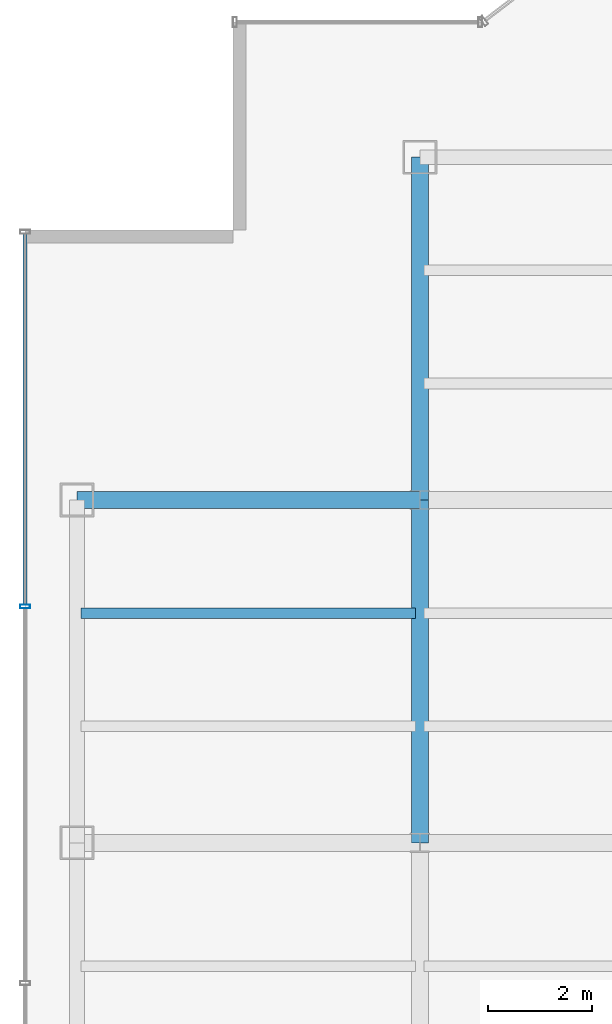
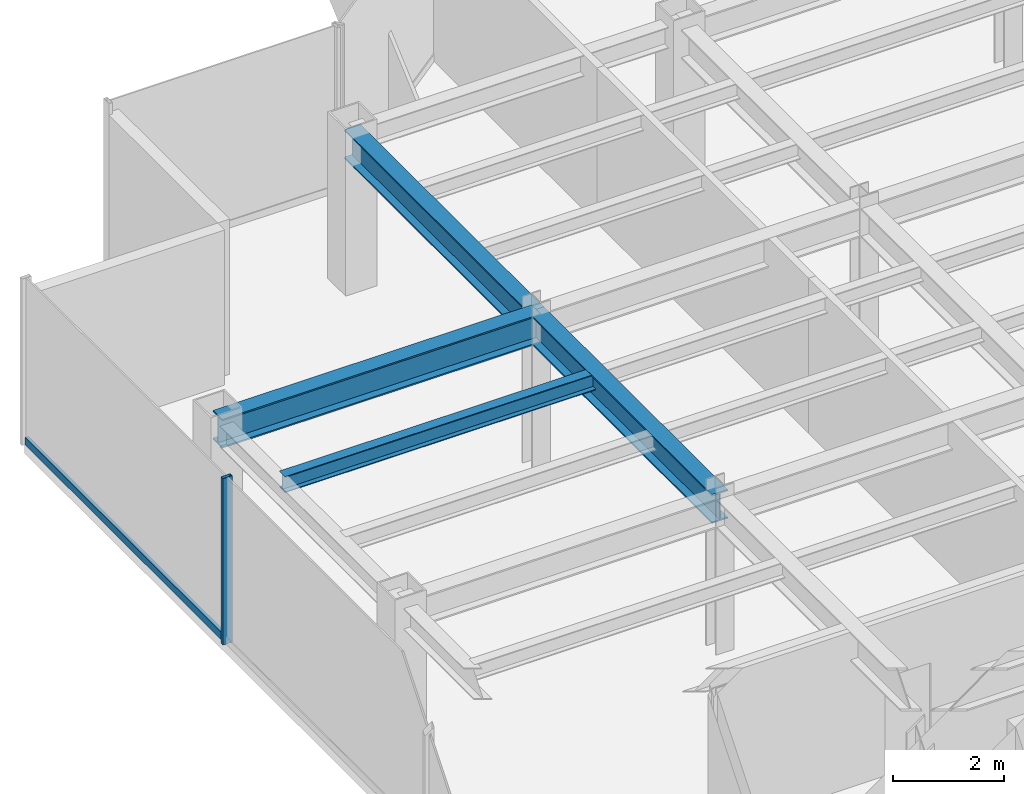
# One storey, part 7 of 25: 4 beams, 2 members, 1 element without a shape of its own.
"""IFC4 building model written with IfcOpenShell, lengths in metres."""

import ifcopenshell
import ifcopenshell.guid

model = None  # the IFC model being written
_history = None  # IfcOwnerHistory: only IFC2X3 demands one
_inside = {}  # id of a spatial element -> (the spatial element, [elements in it])
_under = {}  # id of a project, library or spatial element -> (it, [spatial elements below it])
_declared = {}  # id of a project -> (the project, [libraries it declares])
_typed = {}  # id of a type object -> (the type object, [elements of that type])
_made_of = {}  # id of a material, layer set ... -> (it, [elements and type objects made of it])


def new_model(schema):
    """Start an empty IFC model of exactly this schema.

    Asked for "IFC4X3", IfcOpenShell would pick the latest addendum, in which some entities
    have other attributes; the version numbers below select the first issue.
    IFC2X3 requires an IfcOwnerHistory on every rooted entity: one is made here for all.
    """
    global model, _history
    if schema == "IFC4X3":
        model = ifcopenshell.file(schema_version=(4, 3, 0, 0))
    else:
        model = ifcopenshell.file(schema=schema)
    _inside.clear()
    _under.clear()
    _declared.clear()
    _typed.clear()
    _made_of.clear()
    _history = None
    if model.schema == "IFC2X3":
        org = make("IfcOrganization", Name="unknown")
        user = make(
            "IfcPersonAndOrganization",
            ThePerson=make("IfcPerson", FamilyName="unknown"),
            TheOrganization=org,
        )
        app = make(
            "IfcApplication",
            ApplicationDeveloper=org,
            Version="unknown",
            ApplicationFullName="unknown",
            ApplicationIdentifier="unknown",
        )
        _history = make(
            "IfcOwnerHistory",
            OwningUser=user,
            OwningApplication=app,
            ChangeAction="ADDED",
            CreationDate=0,
        )
    return model


def make(cls, **values):
    """One entity of the class cls with the attributes given. An attribute that is None is left unset."""
    return model.create_entity(
        cls, **{name: value for name, value in values.items() if value is not None}
    )


def rooted(cls, **values):
    """An entity with a GlobalId (a new one), such as an element, a storey or a relation."""
    return make(cls, GlobalId=ifcopenshell.guid.new(), OwnerHistory=_history, **values)


def si_unit(unit_type, name, prefix=None):
    """IfcSIUnit, for example si_unit("LENGTHUNIT", "METRE", prefix="MILLI")."""
    return make("IfcSIUnit", UnitType=unit_type, Prefix=prefix, Name=name)


def derived_unit(unit_type, elements):
    """IfcDerivedUnit: a product of units, each with its exponent."""
    return make(
        "IfcDerivedUnit",
        Elements=[
            make("IfcDerivedUnitElement", Unit=unit, Exponent=power)
            for unit, power in elements
        ],
        UnitType=unit_type,
    )


def assignment(units):
    """IfcUnitAssignment: the units of a project."""
    return None if units is None else make("IfcUnitAssignment", Units=units)


def point(xyz):
    """IfcCartesianPoint."""
    return None if xyz is None else make("IfcCartesianPoint", Coordinates=xyz)


def direction(xyz):
    """IfcDirection."""
    return None if xyz is None else make("IfcDirection", DirectionRatios=xyz)


def frame(location, z_axis=None, x_axis=None):
    """IfcAxis2Placement3D, a coordinate frame: its origin and axes. An axis left out is left unset."""
    return make(
        "IfcAxis2Placement3D",
        Location=point(location),
        Axis=direction(z_axis),
        RefDirection=direction(x_axis),
    )


def frame_2d(location, x_axis=None):
    """IfcAxis2Placement2D, a coordinate frame in the plane: its origin and x axis."""
    return make(
        "IfcAxis2Placement2D", Location=point(location), RefDirection=direction(x_axis)
    )


def origin():
    """The frame at (0, 0, 0) with its axes left unset."""
    return frame((0.0, 0.0, 0.0))


def origin_2d():
    """The frame at (0, 0) in the plane with its x axis left unset."""
    return frame_2d((0.0, 0.0))


def place(relative_to, where):
    """IfcLocalPlacement: puts the frame where relative to a parent placement (None: the world)."""
    return make(
        "IfcLocalPlacement", PlacementRelTo=relative_to, RelativePlacement=where
    )


def context(
    kind, dimensions, precision=None, world=None, true_north=None, identifier=None
):
    """IfcGeometricRepresentationContext, for example the 3D "Model" context."""
    return make(
        "IfcGeometricRepresentationContext",
        ContextIdentifier=identifier,
        ContextType=kind,
        CoordinateSpaceDimension=dimensions,
        Precision=precision,
        WorldCoordinateSystem=world,
        TrueNorth=true_north,
    )


def subcontext(parent, identifier, kind, view, scale=None):
    """IfcGeometricRepresentationSubContext, for example "Body" below "Model"."""
    return make(
        "IfcGeometricRepresentationSubContext",
        ContextIdentifier=identifier,
        ContextType=kind,
        ParentContext=parent,
        TargetScale=scale,
        TargetView=view,
    )


def project(units=None, contexts=None):
    """IfcProject with its units and contexts."""
    return rooted(
        "IfcProject",
        Name="project",
        RepresentationContexts=contexts,
        UnitsInContext=assignment(units),
    )


def spatial(cls, under=None, at=None, **own):
    """A site, building, storey or space (cls), placed at a placement, below another one or the project."""
    s = rooted(cls, ObjectPlacement=at, **own)
    if under is not None:
        _under.setdefault(under.id(), (under, []))[1].append(s)
    return s


def profile(cls, at=None, kind="AREA", **sizes):
    """A parametric profile (cls). Its sizes go by their IFC names, for example OverallWidth=200.0."""
    return make(cls, ProfileType=kind, Position=at, **sizes)


def hollow_rectangle(**sizes):
    """IfcRectangleHollowProfileDef."""
    return profile("IfcRectangleHollowProfileDef", **sizes)


def i_section(**sizes):
    """IfcIShapeProfileDef."""
    return profile("IfcIShapeProfileDef", **sizes)


def extrude(swept, where, along, depth):
    """IfcExtrudedAreaSolid: the profile swept, set in the frame where, extruded along a direction by depth."""
    return make(
        "IfcExtrudedAreaSolid",
        SweptArea=swept,
        Position=where,
        ExtrudedDirection=direction(along),
        Depth=depth,
    )


def shape(context_of_items, identifier, shape_type, items):
    """IfcShapeRepresentation: the items that make up one representation, for example the "Body"."""
    return make(
        "IfcShapeRepresentation",
        ContextOfItems=context_of_items,
        RepresentationIdentifier=identifier,
        RepresentationType=shape_type,
        Items=items,
    )


def source(mapping_origin, context_of_items, identifier, shape_type, items):
    """IfcRepresentationMap: a shape defined once, which mapped items show again and again."""
    return make(
        "IfcRepresentationMap",
        MappingOrigin=mapping_origin,
        MappedRepresentation=shape(context_of_items, identifier, shape_type, items),
    )


def transform(
    local_origin,
    x_axis=None,
    y_axis=None,
    z_axis=None,
    scale=None,
    scale2=None,
    scale3=None,
    uniform=True,
):
    """IfcCartesianTransformationOperator3D, or its non-uniform kind. x_axis, y_axis, z_axis: its Axis1, 2, 3."""
    if uniform:
        return make(
            "IfcCartesianTransformationOperator3D",
            Axis1=direction(x_axis),
            Axis2=direction(y_axis),
            LocalOrigin=point(local_origin),
            Scale=scale,
            Axis3=direction(z_axis),
        )
    return make(
        "IfcCartesianTransformationOperator3DnonUniform",
        Axis1=direction(x_axis),
        Axis2=direction(y_axis),
        LocalOrigin=point(local_origin),
        Scale=scale,
        Axis3=direction(z_axis),
        Scale2=scale2,
        Scale3=scale3,
    )


def mapped(mapping_source, mapping_target):
    """IfcMappedItem: shows the shape of a source again, moved by a transform."""
    return make(
        "IfcMappedItem", MappingSource=mapping_source, MappingTarget=mapping_target
    )


def material(Name=None, Category=None):
    """IfcMaterial."""
    return make("IfcMaterial", Name=Name, Category=Category)


def material_profile(
    of_material, cross_section, Name=None, Category=None, Priority=None
):
    """IfcMaterialProfile: a cross section and its material."""
    return make(
        "IfcMaterialProfile",
        Name=Name,
        Material=of_material,
        Profile=cross_section,
        Priority=Priority,
        Category=Category,
    )


def profile_set(profiles, Name=None, composite=None):
    """IfcMaterialProfileSet."""
    return make(
        "IfcMaterialProfileSet",
        Name=Name,
        MaterialProfiles=profiles,
        CompositeProfile=composite,
    )


def made_of(thing, what):
    """Note that an element or type object is made of a material, layer set ...; save() writes the relation."""
    if what is not None:
        _made_of.setdefault(what.id(), (what, []))[1].append(thing)
    return thing


def type_object(cls, material=None, **own):
    """A type object (cls), such as IfcWallType, which elements share."""
    return made_of(rooted(cls, **own), material)


def element(
    cls,
    number,
    at=None,
    inside=None,
    cuts=None,
    type_object=None,
    material=None,
    context=None,
    identifier="Body",
    shape_type=None,
    held_by="IfcProductDefinitionShape",
    body=None,
    shapes=None,
    **own,
):
    """One element of the class cls, such as IfcWall. Its Tag is "e" and its number.

    at: its placement. inside: the storey or other place that contains it. cuts: it is an
    opening in that element (IfcRelVoidsElement). A single representation is given by context,
    identifier, shape_type and body (its items); several are given by shapes. held_by: the class
    of the entity that holds the representations. save() writes the other relations.
    """
    e = rooted(cls, Tag="e%d" % number, ObjectPlacement=at, **own)
    if body is not None:
        shapes = [shape(context, identifier, shape_type, body)]
    if shapes is not None:
        e.Representation = make(held_by, Representations=shapes)
    if inside is not None:
        _inside.setdefault(inside.id(), (inside, []))[1].append(e)
    if cuts is not None:
        rooted(
            "IfcRelVoidsElement", RelatingBuildingElement=cuts, RelatedOpeningElement=e
        )
    if type_object is not None:
        _typed.setdefault(type_object.id(), (type_object, []))[1].append(e)
    return made_of(e, material)


def aggregate(whole, parts):
    """IfcRelAggregates: a whole, such as a stair, and the parts it consists of."""
    return rooted("IfcRelAggregates", RelatingObject=whole, RelatedObjects=parts)


def save(model, path):
    """Write the relations noted so far, then the file.

    IfcRelAggregates (storeys below a building ...), IfcRelContainedInSpatialStructure (elements
    in a storey), IfcRelDefinesByType, IfcRelAssociatesMaterial and IfcRelDeclares: one each for
    every whole, place, type object, material and project.
    """
    for whole, parts in _under.values():
        aggregate(whole, parts)
    for where, things in _inside.values():
        rooted(
            "IfcRelContainedInSpatialStructure",
            RelatedElements=things,
            RelatingStructure=where,
        )
    for kind, things in _typed.values():
        rooted("IfcRelDefinesByType", RelatedObjects=things, RelatingType=kind)
    for what, things in _made_of.values():
        rooted("IfcRelAssociatesMaterial", RelatedObjects=things, RelatingMaterial=what)
    for by, libraries in _declared.values():
        rooted("IfcRelDeclares", RelatingContext=by, RelatedDefinitions=libraries)
    model.write(path)


model = new_model("IFC4")

# Units and contexts
model_context = context("Model", 3, precision=1e-05, world=origin(), true_north=direction((0.0, 1.0)))
body_context = subcontext(model_context, "Body", "Model", "MODEL_VIEW")
ifc_project = project(units=[si_unit("LENGTHUNIT", "METRE"), si_unit("AREAUNIT", "SQUARE_METRE"), si_unit("VOLUMEUNIT", "CUBIC_METRE"), si_unit("PLANEANGLEUNIT", "RADIAN"), si_unit("MASSUNIT", "GRAM", prefix="KILO"), derived_unit("THERMALTRANSMITTANCEUNIT", [(si_unit("POWERUNIT", "WATT"), 1), (si_unit("LENGTHUNIT", "METRE"), -2), (si_unit("THERMODYNAMICTEMPERATUREUNIT", "KELVIN"), -1)])], contexts=[model_context])

# Site, building, storey
site_placement = place(None, origin())
site = spatial("IfcSite", under=ifc_project, at=site_placement, CompositionType="ELEMENT")
building_placement = place(site_placement, origin())
building = spatial("IfcBuilding", under=site, at=building_placement, Name="Skarnbrae Concourse Arena and Tower", CompositionType="ELEMENT")
storey_placement = place(building_placement, frame((0.0, 0.0, 151.550048828125)))
storey = spatial("IfcBuildingStorey", under=building, at=storey_placement, Name="L38", CompositionType="ELEMENT", Elevation=151.550048828125)

# Beams
ifc_material_1 = material(Name="Steel CSA G40.21 350W", Category="steel")
ifc_material_profile_1 = material_profile(ifc_material_1, i_section(OverallWidth=0.3291015625, OverallDepth=0.635009765625, WebThickness=0.017822265625, FlangeThickness=0.031005859375, at=origin_2d()), Name="W610X241")
ifc_profile_set_1 = profile_set([ifc_material_profile_1], Name="Steel CSA G40.21 350W")
beam_type_1 = type_object("IfcBeamType", Name="BM-GIRD-W610X241", PredefinedType="BEAM", material=ifc_profile_set_1)
shared_shape_1 = source(origin(), body_context, "Body", "SweptSolid", [
    extrude(i_section(OverallWidth=0.3291015625, OverallDepth=0.635009765625, WebThickness=0.017822265625, FlangeThickness=0.031005859375, at=origin_2d()), origin(), (0.0, 0.0, 1.0), 6.60009765625),
])
for number, where, z_axis, x_axis, name in (
    (1, (1.0, 27.800048828125, 3.08251953125), (1.0, 0.0, 0.0), (0.0, 1.0, 0.0), "L38 Primary E-W girder Y27.8-1"),
    (2, (7.60009765625, 21.199951171875, 3.08251953125), (0.0, 1.0, 0.0), (-1.0, 0.0, 0.0), "L38 Primary N-S girder X7.6-2"),
):
    element("IfcBeam", number, at=place(storey_placement, frame(where, z_axis=z_axis, x_axis=x_axis)), inside=storey, type_object=beam_type_1, Name=name, PredefinedType="BEAM", context=body_context, shape_type="MappedRepresentation", body=[
        mapped(shared_shape_1, transform((0.0, 0.0, 0.0))),
    ])
shared_shape_2 = source(origin(), body_context, "Body", "SweptSolid", [
    extrude(i_section(OverallWidth=0.3291015625, OverallDepth=0.635009765625, WebThickness=0.017822265625, FlangeThickness=0.031005859375, at=origin_2d()), origin(), (0.0, 0.0, 1.0), 6.599853515625),
])
beam_1_placement = place(storey_placement, frame((7.60009765625, 27.800048828125, 3.08251953125), z_axis=(0.0, 1.0, 0.0), x_axis=(-1.0, 0.0, 0.0)))
element("IfcBeam", 3, at=beam_1_placement, inside=storey, type_object=beam_type_1, Name="L38 Primary N-S girder X7.6-3", PredefinedType="BEAM", context=body_context, shape_type="MappedRepresentation", body=[
    mapped(shared_shape_2, transform((0.0, 0.0, 0.0))),
])
ifc_material_profile_2 = material_profile(ifc_material_1, i_section(OverallWidth=0.205078125, OverallDepth=0.35400390625, WebThickness=0.009521484375, FlangeThickness=0.016845703125, at=origin_2d()), Name="W360X79")
ifc_profile_set_2 = profile_set([ifc_material_profile_2], Name="Steel CSA G40.21 350W")
beam_type_2 = type_object("IfcBeamType", Name="BM-JOIST-W360X79", PredefinedType="JOIST", material=ifc_profile_set_2)
shared_shape_3 = source(origin(), body_context, "Body", "SweptSolid", [
    extrude(i_section(OverallWidth=0.205078125, OverallDepth=0.35400390625, WebThickness=0.009521484375, FlangeThickness=0.016845703125, at=origin_2d()), origin(), (0.0, 0.0, 1.0), 6.43994140625),
])
beam_2_placement = place(storey_placement, frame((1.080078125, 25.6220703125, 3.222900390625), z_axis=(1.0, 0.0, 0.0), x_axis=(0.0, 1.0, 0.0)))
element("IfcBeam", 4, at=beam_2_placement, inside=storey, type_object=beam_type_2, Name="L38 Secondary floor joist 2.2.1", PredefinedType="JOIST", context=body_context, shape_type="MappedRepresentation", body=[
    mapped(shared_shape_3, transform((0.0, 0.0, 0.0))),
])

# Curtain wall, members
ifc_material_2 = material(Name="Bronze anodised aluminium 6063-T6", Category="aluminium")
curtain_wall_type = type_object("IfcCurtainWallType", Name="CW-SYS-04-MIDZONE", PredefinedType="USERDEFINED", material=ifc_material_2)
curtain_wall_placement = place(storey_placement, origin())
curtain_wall = element("IfcCurtainWall", 5, at=curtain_wall_placement, inside=storey, type_object=curtain_wall_type, Name="L38 Unitised curtain wall CW-L38-E18", ObjectType="UNITISED CURTAIN WALL", PredefinedType="USERDEFINED")
ifc_material_profile_3 = material_profile(ifc_material_2, hollow_rectangle(XDim=0.074951171875, YDim=0.195068359375, WallThickness=0.00439453125, at=origin_2d()), Name="ALU-MULL-75X195")
ifc_profile_set_3 = profile_set([ifc_material_profile_3], Name="Bronze anodised aluminium 6063-T6")
member_type_1 = type_object("IfcMemberType", Name="CWM-CW-04", PredefinedType="MULLION", material=ifc_profile_set_3)
shared_shape_4 = source(origin(), body_context, "Body", "SweptSolid", [
    extrude(hollow_rectangle(XDim=0.074951171875, YDim=0.195068359375, WallThickness=0.00439453125, at=origin_2d()), origin(), (0.0, 0.0, 1.0), 3.64990234375),
])
member_1_placement = place(storey_placement, frame((0.0, 25.75, 0.0), z_axis=(0.0, 0.0, 1.0), x_axis=(0.0, -1.0, 0.0)))
member_1 = element("IfcMember", 6, at=member_1_placement, type_object=member_type_1, Name="CW-L38-E18 Mullion 2", PredefinedType="MULLION", context=body_context, shape_type="MappedRepresentation", body=[
    mapped(shared_shape_4, transform((0.0, 0.0, 0.0))),
])
ifc_material_profile_4 = material_profile(ifc_material_2, hollow_rectangle(XDim=0.074951171875, YDim=0.159912109375, WallThickness=0.00439453125, at=origin_2d()), Name="ALU-TRAN-75X160")
ifc_profile_set_4 = profile_set([ifc_material_profile_4], Name="Bronze anodised aluminium 6063-T6")
member_type_2 = type_object("IfcMemberType", Name="CWT-CW-04", PredefinedType="USERDEFINED", material=ifc_profile_set_4)
shared_shape_5 = source(origin(), body_context, "Body", "SweptSolid", [
    extrude(hollow_rectangle(XDim=0.074951171875, YDim=0.159912109375, WallThickness=0.00439453125, at=origin_2d()), origin(), (0.0, 0.0, 1.0), 7.137451171875),
])
member_2_placement = place(storey_placement, frame((0.0, 32.925048828125, 0.079833984375), z_axis=(0.0, -1.0, 0.0), x_axis=(1.0, 0.0, 0.0)))
member_2 = element("IfcMember", 7, at=member_2_placement, type_object=member_type_2, Name="CW-L38-E18 Transom 1", ObjectType="TRANSOM", PredefinedType="USERDEFINED", context=body_context, shape_type="MappedRepresentation", body=[
    mapped(shared_shape_5, transform((0.0, 0.0, 0.0))),
])
aggregate(curtain_wall, [member_1, member_2])

save(model, "model.ifc")
